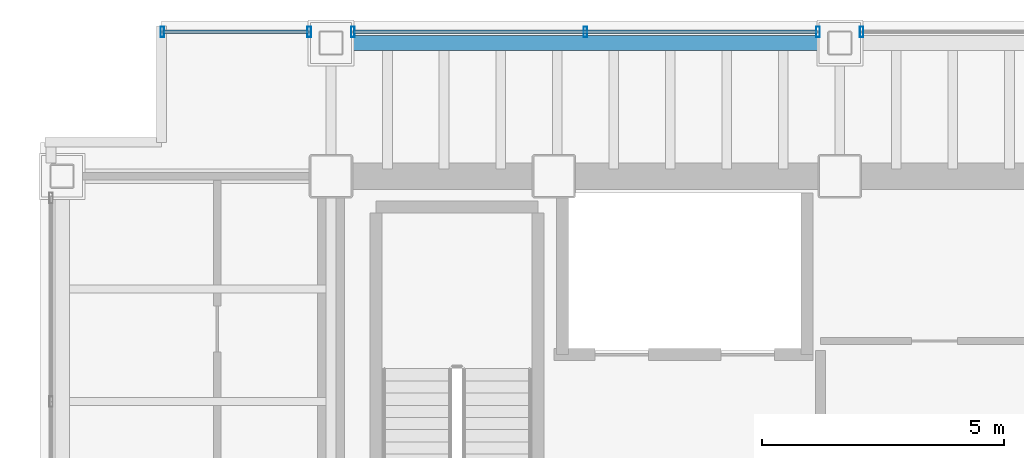
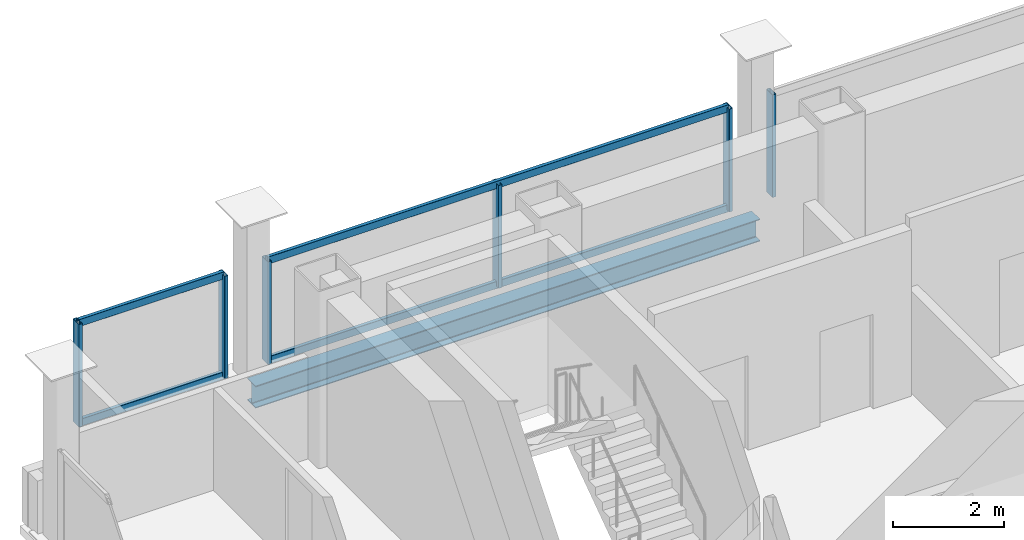
# One storey, part 14 of 21: 10 members, 1 beam, 3 elements without a shape of their own.
"""IFC4 building model written with IfcOpenShell, lengths in metres."""

from ifc_helpers import new_model, si_unit, direction, frame, origin, origin_2d, place, context, subcontext, project, spatial, hollow_rectangle, i_section, extrude, material, material_profile, profile_set, type_object, element, aggregate, save


model = new_model("IFC4")

# Units and contexts
model_context = context("Model", 3, precision=1e-05, world=origin(), true_north=direction((0.0, 1.0)))
body_context = subcontext(model_context, "Body", "Model", "MODEL_VIEW")
ifc_project = project(units=[si_unit("LENGTHUNIT", "METRE"), si_unit("AREAUNIT", "SQUARE_METRE"), si_unit("VOLUMEUNIT", "CUBIC_METRE"), si_unit("PLANEANGLEUNIT", "RADIAN"), si_unit("MASSUNIT", "GRAM", prefix="KILO")], contexts=[model_context])

# Site, building, storey
site_placement = place(None, origin())
site = spatial("IfcSite", under=ifc_project, at=site_placement, CompositionType="ELEMENT")
building_placement = place(site_placement, origin())
building = spatial("IfcBuilding", under=site, at=building_placement, Name="Noeulbin Bourse Tower", CompositionType="ELEMENT")
storey_placement = place(building_placement, frame((0.0, 0.0, 111.0)))
storey = spatial("IfcBuildingStorey", under=building, at=storey_placement, Name="L27", CompositionType="ELEMENT", Elevation=111.0)

# Beam
ifc_material_1 = material(Name="Steel S355", Category="steel")
ifc_material_profile_1 = material_profile(ifc_material_1, i_section(OverallWidth=0.300048828125, OverallDepth=0.488037109375, WebThickness=0.010986328125, FlangeThickness=0.01806640625, FilletRadius=0.02197265625, at=origin_2d()), Name="H-488x300x11x18", Category="LoadBearing")
ifc_profile_set_1 = profile_set([ifc_material_profile_1], Name="Steel S355")
beam_type = type_object("IfcBeamType", Name="BM-SPN-488", PredefinedType="SPANDREL", material=ifc_profile_set_1)
beam_placement = place(storey_placement, frame((13.5, 41.050048828125, -0.424072265625), z_axis=(1.0, 0.0, 0.0), x_axis=(0.0, 1.0, 0.0)))
element("IfcBeam", 1, at=beam_placement, inside=storey, type_object=beam_type, Name="North Spandrel L27-1", PredefinedType="SPANDREL", context=body_context, shape_type="SweptSolid", body=[
    extrude(i_section(OverallWidth=0.300048828125, OverallDepth=0.488037109375, WebThickness=0.010986328125, FlangeThickness=0.01806640625, FilletRadius=0.02197265625, at=origin_2d()), origin(), (0.0, 0.0, 1.0), 10.5),
])

# Curtain wall, members
ifc_material_2 = material(Name="Dark Tinted Triple Glazing", Category="glass")
curtain_wall_type = type_object("IfcCurtainWallType", Name="CW-SYS-3", PredefinedType="NOTDEFINED", material=ifc_material_2)
curtain_wall_1_placement = place(storey_placement, origin())
curtain_wall_1 = element("IfcCurtainWall", 2, at=curtain_wall_1_placement, inside=storey, type_object=curtain_wall_type, Name="Unitised Curtain Wall CW-L27-N-S1", PredefinedType="NOTDEFINED")
ifc_material_3 = material(Name="Anodised Aluminium 6063-T6", Category="aluminium")
ifc_material_profile_2 = material_profile(ifc_material_3, hollow_rectangle(XDim=0.074951171875, YDim=0.219970703125, WallThickness=0.0048828125, InnerFilletRadius=0.00244140625, OuterFilletRadius=0.0048828125, at=origin_2d()), Name="ALU-MULL-75x220x5", Category="LoadBearing")
ifc_profile_set_2 = profile_set([ifc_material_profile_2], Name="Anodised Aluminium 6063-T6")
member_type_1 = type_object("IfcMemberType", Name="CW-SYS-3-MUL", PredefinedType="MULLION", material=ifc_profile_set_2)
member_1_placement = place(storey_placement, frame((10.02001953125, 41.280029296875, -0.02001953125), z_axis=(0.0, 0.0, 1.0), x_axis=(1.0, 0.0, 0.0)))
member_1 = element("IfcMember", 3, at=member_1_placement, type_object=member_type_1, Name="Curtain Wall Mullion CW-L27-N-S1-M00", PredefinedType="MULLION", context=body_context, shape_type="SweptSolid", body=[
    extrude(hollow_rectangle(XDim=0.074951171875, YDim=0.219970703125, WallThickness=0.0048828125, InnerFilletRadius=0.00244140625, OuterFilletRadius=0.0048828125, at=origin_2d()), origin(), (0.0, 0.0, 1.0), 2.260009765625),
])
member_2_placement = place(storey_placement, frame((13.050048828125, 41.280029296875, -0.02001953125), z_axis=(0.0, 0.0, 1.0), x_axis=(1.0, 0.0, 0.0)))
member_2 = element("IfcMember", 4, at=member_2_placement, type_object=member_type_1, Name="Curtain Wall Mullion CW-L27-N-S1-M01", PredefinedType="MULLION", context=body_context, shape_type="SweptSolid", body=[
    extrude(hollow_rectangle(XDim=0.074951171875, YDim=0.219970703125, WallThickness=0.0048828125, InnerFilletRadius=0.00244140625, OuterFilletRadius=0.0048828125, at=origin_2d()), origin(), (0.0, 0.0, 1.0), 2.260009765625),
])

curtain_wall_2_placement = place(storey_placement, origin())
curtain_wall_2 = element("IfcCurtainWall", 5, at=curtain_wall_2_placement, inside=storey, type_object=curtain_wall_type, Name="Unitised Curtain Wall CW-L27-N-S2", PredefinedType="NOTDEFINED")
member_3_placement = place(storey_placement, frame((13.949951171875, 41.280029296875, -0.02001953125), z_axis=(0.0, 0.0, 1.0), x_axis=(1.0, 0.0, 0.0)))
member_3 = element("IfcMember", 6, at=member_3_placement, type_object=member_type_1, Name="Curtain Wall Mullion CW-L27-N-S2-M00", PredefinedType="MULLION", context=body_context, shape_type="SweptSolid", body=[
    extrude(hollow_rectangle(XDim=0.074951171875, YDim=0.219970703125, WallThickness=0.0048828125, InnerFilletRadius=0.00244140625, OuterFilletRadius=0.0048828125, at=origin_2d()), origin(), (0.0, 0.0, 1.0), 2.260009765625),
])
member_4_placement = place(storey_placement, frame((18.75, 41.280029296875, -0.02001953125), z_axis=(0.0, 0.0, 1.0), x_axis=(1.0, 0.0, 0.0)))
member_4 = element("IfcMember", 7, at=member_4_placement, type_object=member_type_1, Name="Curtain Wall Mullion CW-L27-N-S2-M01", PredefinedType="MULLION", context=body_context, shape_type="SweptSolid", body=[
    extrude(hollow_rectangle(XDim=0.074951171875, YDim=0.219970703125, WallThickness=0.0048828125, InnerFilletRadius=0.00244140625, OuterFilletRadius=0.0048828125, at=origin_2d()), origin(), (0.0, 0.0, 1.0), 2.260009765625),
])
member_5_placement = place(storey_placement, frame((23.550048828125, 41.280029296875, -0.02001953125), z_axis=(0.0, 0.0, 1.0), x_axis=(1.0, 0.0, 0.0)))
member_5 = element("IfcMember", 8, at=member_5_placement, type_object=member_type_1, Name="Curtain Wall Mullion CW-L27-N-S2-M02", PredefinedType="MULLION", context=body_context, shape_type="SweptSolid", body=[
    extrude(hollow_rectangle(XDim=0.074951171875, YDim=0.219970703125, WallThickness=0.0048828125, InnerFilletRadius=0.00244140625, OuterFilletRadius=0.0048828125, at=origin_2d()), origin(), (0.0, 0.0, 1.0), 2.260009765625),
])

# Curtain wall, member
curtain_wall_3_placement = place(storey_placement, origin())
curtain_wall_3 = element("IfcCurtainWall", 9, at=curtain_wall_3_placement, inside=storey, type_object=curtain_wall_type, Name="Unitised Curtain Wall CW-L27-N-S3", PredefinedType="NOTDEFINED")
member_6_placement = place(storey_placement, frame((24.449951171875, 41.280029296875, -0.02001953125), z_axis=(0.0, 0.0, 1.0), x_axis=(1.0, 0.0, 0.0)))
member_6 = element("IfcMember", 10, at=member_6_placement, type_object=member_type_1, Name="Curtain Wall Mullion CW-L27-N-S3-M00", PredefinedType="MULLION", context=body_context, shape_type="SweptSolid", body=[
    extrude(hollow_rectangle(XDim=0.074951171875, YDim=0.219970703125, WallThickness=0.0048828125, InnerFilletRadius=0.00244140625, OuterFilletRadius=0.0048828125, at=origin_2d()), origin(), (0.0, 0.0, 1.0), 2.260009765625),
])
aggregate(curtain_wall_3, [member_6])

# Member
ifc_material_profile_3 = material_profile(ifc_material_3, hollow_rectangle(XDim=0.074951171875, YDim=0.159912109375, WallThickness=0.0048828125, InnerFilletRadius=0.00244140625, OuterFilletRadius=0.0048828125, at=origin_2d()), Name="ALU-TRAN-75x160x5", Category="LoadBearing")
ifc_profile_set_3 = profile_set([ifc_material_profile_3], Name="Anodised Aluminium 6063-T6")
member_type_2 = type_object("IfcMemberType", Name="CW-SYS-3-TRN", PredefinedType="USERDEFINED", material=ifc_profile_set_3)
member_7_placement = place(storey_placement, frame((10.030029296875, 41.280029296875, 0.010009765625), z_axis=(1.0, 0.0, 0.0), x_axis=(0.0, 1.0, 0.0)))
member_7 = element("IfcMember", 11, at=member_7_placement, type_object=member_type_2, Name="Curtain Wall Transom CW-L27-N-S1-T00", ObjectType="TRANSOM", PredefinedType="USERDEFINED", context=body_context, shape_type="SweptSolid", body=[
    extrude(hollow_rectangle(XDim=0.074951171875, YDim=0.159912109375, WallThickness=0.0048828125, InnerFilletRadius=0.00244140625, OuterFilletRadius=0.0048828125, at=origin_2d()), origin(), (0.0, 0.0, 1.0), 3.010009765625),
])

member_8_placement = place(storey_placement, frame((10.030029296875, 41.280029296875, 2.2099609375), z_axis=(1.0, 0.0, 0.0), x_axis=(0.0, 1.0, 0.0)))
member_8 = element("IfcMember", 12, at=member_8_placement, type_object=member_type_2, Name="Curtain Wall Transom CW-L27-N-S1-T01", ObjectType="TRANSOM", PredefinedType="USERDEFINED", context=body_context, shape_type="SweptSolid", body=[
    extrude(hollow_rectangle(XDim=0.074951171875, YDim=0.159912109375, WallThickness=0.0048828125, InnerFilletRadius=0.00244140625, OuterFilletRadius=0.0048828125, at=origin_2d()), origin(), (0.0, 0.0, 1.0), 3.010009765625),
])

aggregate(curtain_wall_1, [member_1, member_2, member_7, member_8])

member_9_placement = place(storey_placement, frame((13.9599609375, 41.280029296875, 0.010009765625), z_axis=(1.0, 0.0, 0.0), x_axis=(0.0, 1.0, 0.0)))
member_9 = element("IfcMember", 13, at=member_9_placement, type_object=member_type_2, Name="Curtain Wall Transom CW-L27-N-S2-T00", ObjectType="TRANSOM", PredefinedType="USERDEFINED", context=body_context, shape_type="SweptSolid", body=[
    extrude(hollow_rectangle(XDim=0.074951171875, YDim=0.159912109375, WallThickness=0.0048828125, InnerFilletRadius=0.00244140625, OuterFilletRadius=0.0048828125, at=origin_2d()), origin(), (0.0, 0.0, 1.0), 9.580078125),
])

member_10_placement = place(storey_placement, frame((13.9599609375, 41.280029296875, 2.2099609375), z_axis=(1.0, 0.0, 0.0), x_axis=(0.0, 1.0, 0.0)))
member_10 = element("IfcMember", 14, at=member_10_placement, type_object=member_type_2, Name="Curtain Wall Transom CW-L27-N-S2-T01", ObjectType="TRANSOM", PredefinedType="USERDEFINED", context=body_context, shape_type="SweptSolid", body=[
    extrude(hollow_rectangle(XDim=0.074951171875, YDim=0.159912109375, WallThickness=0.0048828125, InnerFilletRadius=0.00244140625, OuterFilletRadius=0.0048828125, at=origin_2d()), origin(), (0.0, 0.0, 1.0), 9.580078125),
])

aggregate(curtain_wall_2, [member_3, member_4, member_5, member_9, member_10])

save(model, "model.ifc")
